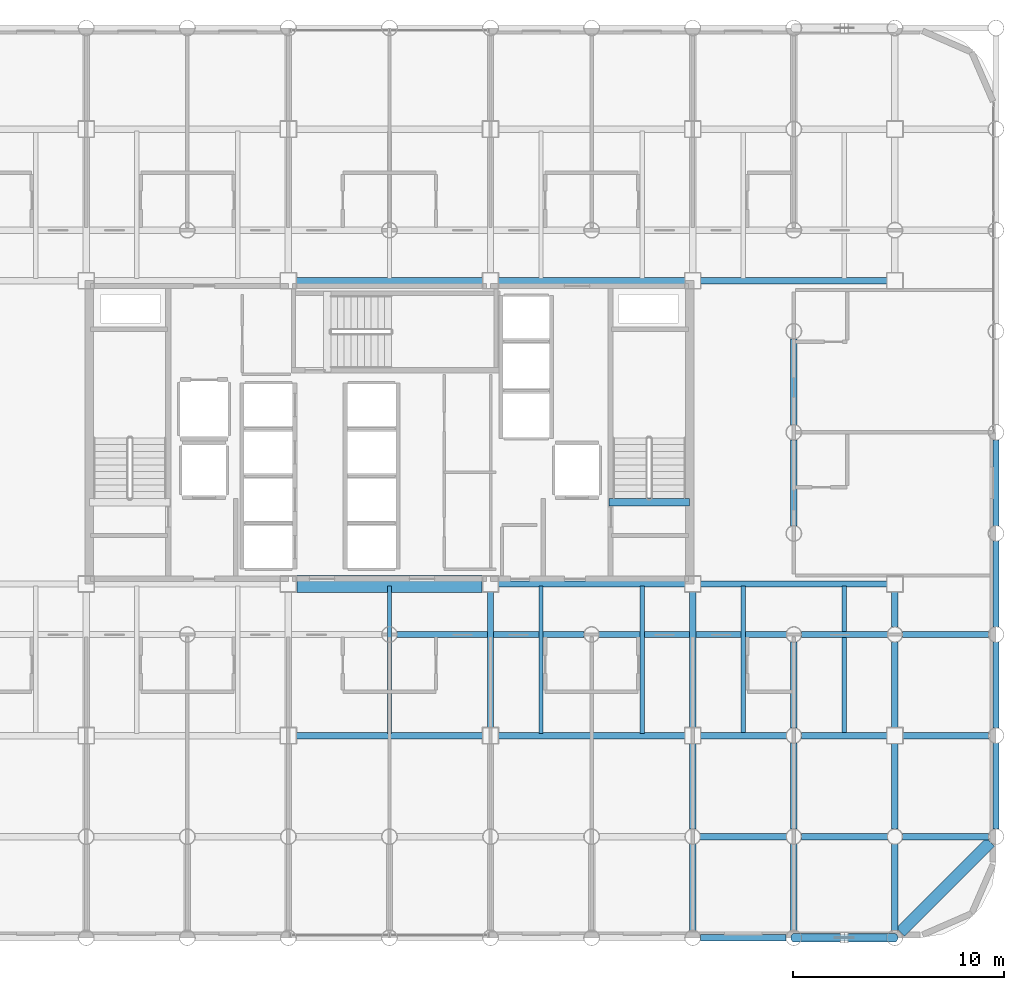
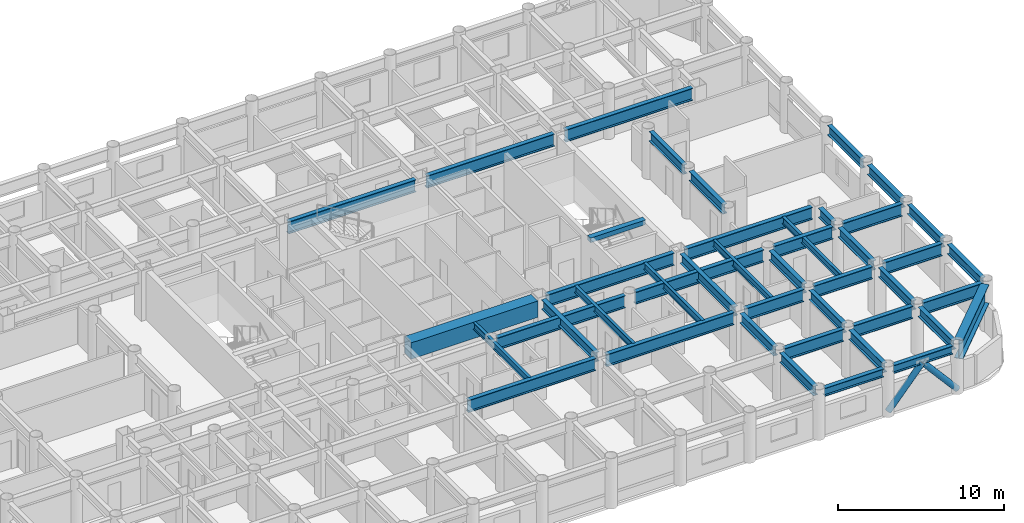
# One storey, part 7 of 22: 44 beams, 2 members.
"""IFC4 building model written with IfcOpenShell, lengths in metres."""

from ifc_helpers import new_model, si_unit, direction, frame, origin, origin_2d, place, context, subcontext, project, spatial, rectangle, hollow_circle, i_section, extrude, material, material_profile, profile_set, type_object, element, save


model = new_model("IFC4")

# Units and contexts
model_context = context("Model", 3, precision=1e-05, world=origin(), true_north=direction((0.0, 1.0)))
body_context = subcontext(model_context, "Body", "Model", "MODEL_VIEW")
ifc_project = project(units=[si_unit("LENGTHUNIT", "METRE"), si_unit("AREAUNIT", "SQUARE_METRE"), si_unit("VOLUMEUNIT", "CUBIC_METRE"), si_unit("PLANEANGLEUNIT", "RADIAN"), si_unit("MASSUNIT", "GRAM", prefix="KILO")], contexts=[model_context])

# Site, building, storey
site_placement = place(None, origin())
site = spatial("IfcSite", under=ifc_project, at=site_placement, CompositionType="ELEMENT")
building_placement = place(site_placement, origin())
building = spatial("IfcBuilding", under=site, at=building_placement, Name="Kallvorn Hotel Tower", CompositionType="ELEMENT")
storey_placement = place(building_placement, frame((0.0, 0.0, 33.699951171875)))
storey = spatial("IfcBuildingStorey", under=building, at=storey_placement, Name="L06", CompositionType="ELEMENT", Elevation=33.699951171875)

# Beams
ifc_material_1 = material(Name="Structural steel S355JR", Category="steel")
ifc_material_profile_1 = material_profile(ifc_material_1, i_section(OverallWidth=0.300048828125, OverallDepth=0.60009765625, WebThickness=0.015380859375, FlangeThickness=0.030029296875, at=origin_2d()), Name="HE 600 B")
ifc_profile_set_1 = profile_set([ifc_material_profile_1], Name="Structural steel S355JR")
beam_type_1 = type_object("IfcBeamType", Name="BM_HE600B", PredefinedType="SPANDREL", material=ifc_profile_set_1)
beam_1_placement = place(storey_placement, frame((14.77099609375, -24.0, 3.219970703125), z_axis=(1.0, 0.0, 0.0), x_axis=(0.0, 1.0, 0.0)))
element("IfcBeam", 1, at=beam_1_placement, inside=storey, type_object=beam_type_1, Name="L07 Perimeter Spandrel 160", PredefinedType="SPANDREL", context=body_context, shape_type="SweptSolid", body=[
    extrude(i_section(OverallWidth=0.300048828125, OverallDepth=0.60009765625, WebThickness=0.015380859375, FlangeThickness=0.030029296875, at=origin_2d()), origin(), (0.0, 0.0, 1.0), 4.05810546875),
])
beam_2_placement = place(storey_placement, frame((19.571044921875, -24.0, 3.219970703125), z_axis=(1.0, 0.0, 0.0), x_axis=(0.0, 1.0, 0.0)))
element("IfcBeam", 2, at=beam_2_placement, inside=storey, type_object=beam_type_1, Name="L07 Perimeter Spandrel 161", PredefinedType="SPANDREL", context=body_context, shape_type="SweptSolid", body=[
    extrude(i_section(OverallWidth=0.300048828125, OverallDepth=0.60009765625, WebThickness=0.015380859375, FlangeThickness=0.030029296875, at=origin_2d()), origin(), (0.0, 0.0, 1.0), 4.057861328125),
])
ifc_material_2 = material(Name="Structural steel S355JR", Category="steel")
ifc_material_profile_2 = material_profile(ifc_material_2, i_section(OverallWidth=0.300048828125, OverallDepth=0.699951171875, WebThickness=0.01708984375, FlangeThickness=0.031982421875, at=origin_2d()), Name="HE 700 B")
ifc_profile_set_2 = profile_set([ifc_material_profile_2], Name="Structural steel S355JR")
beam_type_2 = type_object("IfcBeamType", Name="BM_HE700B", PredefinedType="BEAM", material=ifc_profile_set_2)
beam_3_placement = place(storey_placement, frame((4.800048828125, -14.02490234375, 3.170166015625), z_axis=(0.0, 1.0, 0.0), x_axis=(-1.0, 0.0, 0.0)))
element("IfcBeam", 3, at=beam_3_placement, inside=storey, type_object=beam_type_2, Name="L07 Primary Y-Girder 116", PredefinedType="BEAM", context=body_context, shape_type="SweptSolid", body=[
    extrude(i_section(OverallWidth=0.300048828125, OverallDepth=0.699951171875, WebThickness=0.01708984375, FlangeThickness=0.031982421875, at=origin_2d()), origin(), (0.0, 0.0, 1.0), 6.449951171875),
])
beam_4_placement = place(storey_placement, frame((14.39990234375, -23.64404296875, 3.170166015625), z_axis=(0.0, 1.0, 0.0), x_axis=(-1.0, 0.0, 0.0)))
element("IfcBeam", 4, at=beam_4_placement, inside=storey, type_object=beam_type_2, Name="L07 Primary Y-Girder 122", PredefinedType="BEAM", context=body_context, shape_type="SweptSolid", body=[
    extrude(i_section(OverallWidth=0.300048828125, OverallDepth=0.699951171875, WebThickness=0.01708984375, FlangeThickness=0.031982421875, at=origin_2d()), origin(), (0.0, 0.0, 1.0), 4.088134765625),
])
beam_5_placement = place(storey_placement, frame((14.39990234375, -18.843994140625, 3.170166015625), z_axis=(0.0, 1.0, 0.0), x_axis=(-1.0, 0.0, 0.0)))
element("IfcBeam", 5, at=beam_5_placement, inside=storey, type_object=beam_type_2, Name="L07 Primary Y-Girder 123", PredefinedType="BEAM", context=body_context, shape_type="SweptSolid", body=[
    extrude(i_section(OverallWidth=0.300048828125, OverallDepth=0.699951171875, WebThickness=0.01708984375, FlangeThickness=0.031982421875, at=origin_2d()), origin(), (0.0, 0.0, 1.0), 4.069091796875),
])
beam_6_placement = place(storey_placement, frame((14.39990234375, -14.02490234375, 3.170166015625), z_axis=(0.0, 1.0, 0.0), x_axis=(-1.0, 0.0, 0.0)))
element("IfcBeam", 6, at=beam_6_placement, inside=storey, type_object=beam_type_2, Name="L07 Primary Y-Girder 124", PredefinedType="BEAM", context=body_context, shape_type="SweptSolid", body=[
    extrude(i_section(OverallWidth=0.300048828125, OverallDepth=0.699951171875, WebThickness=0.01708984375, FlangeThickness=0.031982421875, at=origin_2d()), origin(), (0.0, 0.0, 1.0), 6.449951171875),
])
beam_7_placement = place(storey_placement, frame((19.199951171875, -23.64404296875, 3.170166015625), z_axis=(0.0, 1.0, 0.0), x_axis=(-1.0, 0.0, 0.0)))
element("IfcBeam", 7, at=beam_7_placement, inside=storey, type_object=beam_type_2, Name="L07 Primary Y-Girder 127", PredefinedType="BEAM", context=body_context, shape_type="SweptSolid", body=[
    extrude(i_section(OverallWidth=0.300048828125, OverallDepth=0.699951171875, WebThickness=0.01708984375, FlangeThickness=0.031982421875, at=origin_2d()), origin(), (0.0, 0.0, 1.0), 4.088134765625),
])
for number, where, z_axis, x_axis, name in (
    (8, (19.199951171875, -18.843994140625, 3.170166015625), (0.0, 1.0, 0.0), (-1.0, 0.0, 0.0), "L07 Primary Y-Girder 128"),
    (9, (19.199951171875, -14.0439453125, 3.170166015625), (0.0, 1.0, 0.0), (-1.0, 0.0, 0.0), "L07 Primary Y-Girder 129"),
):
    element("IfcBeam", number, at=place(storey_placement, frame(where, z_axis=z_axis, x_axis=x_axis)), inside=storey, type_object=beam_type_2, Name=name, PredefinedType="BEAM", context=body_context, shape_type="SweptSolid", body=[
        extrude(i_section(OverallWidth=0.300048828125, OverallDepth=0.699951171875, WebThickness=0.01708984375, FlangeThickness=0.031982421875, at=origin_2d()), origin(), (0.0, 0.0, 1.0), 4.087890625),
    ])
for number, where, z_axis, x_axis, name in (
    (10, (19.199951171875, -4.444091796875, 3.170166015625), (0.0, 1.0, 0.0), (-1.0, 0.0, 0.0), "L07 Primary Y-Girder 131"),
    (11, (19.199951171875, 0.35595703125, 3.170166015625), (0.0, 1.0, 0.0), (-1.0, 0.0, 0.0), "L07 Primary Y-Girder 132"),
    (12, (24.0, -23.64404296875, 3.170166015625), (0.0, 1.0, 0.0), (-1.0, 0.0, 0.0), "L07 Primary Y-Girder 136"),
):
    element("IfcBeam", number, at=place(storey_placement, frame(where, z_axis=z_axis, x_axis=x_axis)), inside=storey, type_object=beam_type_2, Name=name, PredefinedType="BEAM", context=body_context, shape_type="SweptSolid", body=[
        extrude(i_section(OverallWidth=0.300048828125, OverallDepth=0.699951171875, WebThickness=0.01708984375, FlangeThickness=0.031982421875, at=origin_2d()), origin(), (0.0, 0.0, 1.0), 4.088134765625),
    ])
beam_8_placement = place(storey_placement, frame((24.0, -18.843994140625, 3.170166015625), z_axis=(0.0, 1.0, 0.0), x_axis=(-1.0, 0.0, 0.0)))
element("IfcBeam", 13, at=beam_8_placement, inside=storey, type_object=beam_type_2, Name="L07 Primary Y-Girder 137", PredefinedType="BEAM", context=body_context, shape_type="SweptSolid", body=[
    extrude(i_section(OverallWidth=0.300048828125, OverallDepth=0.699951171875, WebThickness=0.01708984375, FlangeThickness=0.031982421875, at=origin_2d()), origin(), (0.0, 0.0, 1.0), 4.069091796875),
])
beam_9_placement = place(storey_placement, frame((24.0, -14.02490234375, 3.170166015625), z_axis=(0.0, 1.0, 0.0), x_axis=(-1.0, 0.0, 0.0)))
element("IfcBeam", 14, at=beam_9_placement, inside=storey, type_object=beam_type_2, Name="L07 Primary Y-Girder 138", PredefinedType="BEAM", context=body_context, shape_type="SweptSolid", body=[
    extrude(i_section(OverallWidth=0.300048828125, OverallDepth=0.699951171875, WebThickness=0.01708984375, FlangeThickness=0.031982421875, at=origin_2d()), origin(), (0.0, 0.0, 1.0), 4.06884765625),
])
beam_10_placement = place(storey_placement, frame((24.0, -9.243896484375, 3.170166015625), z_axis=(0.0, 1.0, 0.0), x_axis=(-1.0, 0.0, 0.0)))
element("IfcBeam", 15, at=beam_10_placement, inside=storey, type_object=beam_type_2, Name="L07 Primary Y-Girder 139", PredefinedType="BEAM", context=body_context, shape_type="SweptSolid", body=[
    extrude(i_section(OverallWidth=0.300048828125, OverallDepth=0.699951171875, WebThickness=0.01708984375, FlangeThickness=0.031982421875, at=origin_2d()), origin(), (0.0, 0.0, 1.0), 1.6689453125),
])
for number, where, z_axis, x_axis, name in (
    (16, (28.800048828125, -18.843994140625, 3.170166015625), (0.0, 1.0, 0.0), (-1.0, 0.0, 0.0), "L07 Primary Y-Girder 143"),
    (17, (28.800048828125, -14.0439453125, 3.170166015625), (0.0, 1.0, 0.0), (-1.0, 0.0, 0.0), "L07 Primary Y-Girder 144"),
    (18, (28.800048828125, -9.243896484375, 3.170166015625), (0.0, 1.0, 0.0), (-1.0, 0.0, 0.0), "L07 Primary Y-Girder 145"),
):
    element("IfcBeam", number, at=place(storey_placement, frame(where, z_axis=z_axis, x_axis=x_axis)), inside=storey, type_object=beam_type_2, Name=name, PredefinedType="BEAM", context=body_context, shape_type="SweptSolid", body=[
        extrude(i_section(OverallWidth=0.300048828125, OverallDepth=0.699951171875, WebThickness=0.01708984375, FlangeThickness=0.031982421875, at=origin_2d()), origin(), (0.0, 0.0, 1.0), 4.087890625),
    ])
beam_11_placement = place(storey_placement, frame((28.800048828125, -4.444091796875, 3.170166015625), z_axis=(0.0, 1.0, 0.0), x_axis=(-1.0, 0.0, 0.0)))
element("IfcBeam", 19, at=beam_11_placement, inside=storey, type_object=beam_type_2, Name="L07 Primary Y-Girder 146", PredefinedType="BEAM", context=body_context, shape_type="SweptSolid", body=[
    extrude(i_section(OverallWidth=0.300048828125, OverallDepth=0.699951171875, WebThickness=0.01708984375, FlangeThickness=0.031982421875, at=origin_2d()), origin(), (0.0, 0.0, 1.0), 4.088134765625),
])
ifc_material_3 = material(Name="Structural steel S355JR", Category="steel")
ifc_material_profile_3 = material_profile(ifc_material_3, i_section(OverallWidth=0.300048828125, OverallDepth=0.89990234375, WebThickness=0.0185546875, FlangeThickness=0.034912109375, at=origin_2d()), Name="HE 900 B")
ifc_profile_set_3 = profile_set([ifc_material_profile_3], Name="Structural steel S355JR")
beam_type_3 = type_object("IfcBeamType", Name="BM_HE900B", PredefinedType="BEAM", material=ifc_profile_set_3)
beam_12_placement = place(storey_placement, frame((14.756103515625, -19.199951171875, 3.070068359375), z_axis=(1.0, 0.0, 0.0), x_axis=(0.0, 1.0, 0.0)))
element("IfcBeam", 20, at=beam_12_placement, inside=storey, type_object=beam_type_3, Name="L07 Primary X-Girder 11", PredefinedType="BEAM", context=body_context, shape_type="SweptSolid", body=[
    extrude(i_section(OverallWidth=0.300048828125, OverallDepth=0.89990234375, WebThickness=0.0185546875, FlangeThickness=0.034912109375, at=origin_2d()), origin(), (0.0, 0.0, 1.0), 4.087890625),
])
for number, where, z_axis, x_axis, name in (
    (21, (19.555908203125, -19.199951171875, 3.070068359375), (1.0, 0.0, 0.0), (0.0, 1.0, 0.0), "L07 Primary X-Girder 12"),
    (22, (24.35595703125, -19.199951171875, 3.070068359375), (1.0, 0.0, 0.0), (0.0, 1.0, 0.0), "L07 Primary X-Girder 13"),
):
    element("IfcBeam", number, at=place(storey_placement, frame(where, z_axis=z_axis, x_axis=x_axis)), inside=storey, type_object=beam_type_3, Name=name, PredefinedType="BEAM", context=body_context, shape_type="SweptSolid", body=[
        extrude(i_section(OverallWidth=0.300048828125, OverallDepth=0.89990234375, WebThickness=0.0185546875, FlangeThickness=0.034912109375, at=origin_2d()), origin(), (0.0, 0.0, 1.0), 4.088134765625),
    ])
beam_13_placement = place(storey_placement, frame((-4.425048828125, -14.39990234375, 3.070068359375), z_axis=(1.0, 0.0, 0.0), x_axis=(0.0, 1.0, 0.0)))
element("IfcBeam", 23, at=beam_13_placement, inside=storey, type_object=beam_type_3, Name="L07 Primary X-Girder 19", PredefinedType="BEAM", context=body_context, shape_type="SweptSolid", body=[
    extrude(i_section(OverallWidth=0.300048828125, OverallDepth=0.89990234375, WebThickness=0.0185546875, FlangeThickness=0.034912109375, at=origin_2d()), origin(), (0.0, 0.0, 1.0), 8.85009765625),
])
beam_14_placement = place(storey_placement, frame((5.175048828125, -14.39990234375, 3.070068359375), z_axis=(1.0, 0.0, 0.0), x_axis=(0.0, 1.0, 0.0)))
element("IfcBeam", 24, at=beam_14_placement, inside=storey, type_object=beam_type_3, Name="L07 Primary X-Girder 20", PredefinedType="BEAM", context=body_context, shape_type="SweptSolid", body=[
    extrude(i_section(OverallWidth=0.300048828125, OverallDepth=0.89990234375, WebThickness=0.0185546875, FlangeThickness=0.034912109375, at=origin_2d()), origin(), (0.0, 0.0, 1.0), 8.849853515625),
])
for number, where, z_axis, x_axis, name in (
    (25, (14.77490234375, -14.39990234375, 3.070068359375), (1.0, 0.0, 0.0), (0.0, 1.0, 0.0), "L07 Primary X-Girder 21"),
    (26, (19.555908203125, -14.39990234375, 3.070068359375), (1.0, 0.0, 0.0), (0.0, 1.0, 0.0), "L07 Primary X-Girder 22"),
    (27, (24.375, -14.39990234375, 3.070068359375), (1.0, 0.0, 0.0), (0.0, 1.0, 0.0), "L07 Primary X-Girder 23"),
):
    element("IfcBeam", number, at=place(storey_placement, frame(where, z_axis=z_axis, x_axis=x_axis)), inside=storey, type_object=beam_type_3, Name=name, PredefinedType="BEAM", context=body_context, shape_type="SweptSolid", body=[
        extrude(i_section(OverallWidth=0.300048828125, OverallDepth=0.89990234375, WebThickness=0.0185546875, FlangeThickness=0.034912109375, at=origin_2d()), origin(), (0.0, 0.0, 1.0), 4.069091796875),
    ])
for number, where, z_axis, x_axis, name in (
    (28, (0.35595703125, -9.60009765625, 3.070068359375), (1.0, 0.0, 0.0), (0.0, 1.0, 0.0), "L07 Primary X-Girder 29"),
    (29, (9.9560546875, -9.60009765625, 3.070068359375), (1.0, 0.0, 0.0), (0.0, 1.0, 0.0), "L07 Primary X-Girder 30"),
):
    element("IfcBeam", number, at=place(storey_placement, frame(where, z_axis=z_axis, x_axis=x_axis)), inside=storey, type_object=beam_type_3, Name=name, PredefinedType="BEAM", context=body_context, shape_type="SweptSolid", body=[
        extrude(i_section(OverallWidth=0.300048828125, OverallDepth=0.89990234375, WebThickness=0.0185546875, FlangeThickness=0.034912109375, at=origin_2d()), origin(), (0.0, 0.0, 1.0), 8.887939453125),
    ])
for number, where, z_axis, x_axis, name in (
    (30, (19.555908203125, -9.60009765625, 3.070068359375), (1.0, 0.0, 0.0), (0.0, 1.0, 0.0), "L07 Primary X-Girder 31"),
    (31, (24.35595703125, -9.60009765625, 3.070068359375), (1.0, 0.0, 0.0), (0.0, 1.0, 0.0), "L07 Primary X-Girder 32"),
):
    element("IfcBeam", number, at=place(storey_placement, frame(where, z_axis=z_axis, x_axis=x_axis)), inside=storey, type_object=beam_type_3, Name=name, PredefinedType="BEAM", context=body_context, shape_type="SweptSolid", body=[
        extrude(i_section(OverallWidth=0.300048828125, OverallDepth=0.89990234375, WebThickness=0.0185546875, FlangeThickness=0.034912109375, at=origin_2d()), origin(), (0.0, 0.0, 1.0), 4.088134765625),
    ])
beam_15_placement = place(storey_placement, frame((5.175048828125, -7.199951171875, 3.070068359375), z_axis=(1.0, 0.0, 0.0), x_axis=(0.0, 1.0, 0.0)))
element("IfcBeam", 32, at=beam_15_placement, inside=storey, type_object=beam_type_3, Name="L07 Primary X-Girder 35", PredefinedType="BEAM", context=body_context, shape_type="SweptSolid", body=[
    extrude(i_section(OverallWidth=0.300048828125, OverallDepth=0.89990234375, WebThickness=0.0185546875, FlangeThickness=0.034912109375, at=origin_2d()), origin(), (0.0, 0.0, 1.0), 8.849853515625),
])
for number, where, z_axis, x_axis, name in (
    (33, (14.77490234375, -7.199951171875, 3.070068359375), (1.0, 0.0, 0.0), (0.0, 1.0, 0.0), "L07 Primary X-Girder 36"),
    (34, (-4.425048828125, 7.199951171875, 3.070068359375), (1.0, 0.0, 0.0), (0.0, 1.0, 0.0), "L07 Primary X-Girder 39"),
):
    element("IfcBeam", number, at=place(storey_placement, frame(where, z_axis=z_axis, x_axis=x_axis)), inside=storey, type_object=beam_type_3, Name=name, PredefinedType="BEAM", context=body_context, shape_type="SweptSolid", body=[
        extrude(i_section(OverallWidth=0.300048828125, OverallDepth=0.89990234375, WebThickness=0.0185546875, FlangeThickness=0.034912109375, at=origin_2d()), origin(), (0.0, 0.0, 1.0), 8.85009765625),
    ])
beam_16_placement = place(storey_placement, frame((5.175048828125, 7.199951171875, 3.070068359375), z_axis=(1.0, 0.0, 0.0), x_axis=(0.0, 1.0, 0.0)))
element("IfcBeam", 35, at=beam_16_placement, inside=storey, type_object=beam_type_3, Name="L07 Primary X-Girder 40", PredefinedType="BEAM", context=body_context, shape_type="SweptSolid", body=[
    extrude(i_section(OverallWidth=0.300048828125, OverallDepth=0.89990234375, WebThickness=0.0185546875, FlangeThickness=0.034912109375, at=origin_2d()), origin(), (0.0, 0.0, 1.0), 8.849853515625),
])
beam_17_placement = place(storey_placement, frame((14.77490234375, 7.199951171875, 3.070068359375), z_axis=(1.0, 0.0, 0.0), x_axis=(0.0, 1.0, 0.0)))
element("IfcBeam", 36, at=beam_17_placement, inside=storey, type_object=beam_type_3, Name="L07 Primary X-Girder 41", PredefinedType="BEAM", context=body_context, shape_type="SweptSolid", body=[
    extrude(i_section(OverallWidth=0.300048828125, OverallDepth=0.89990234375, WebThickness=0.0185546875, FlangeThickness=0.034912109375, at=origin_2d()), origin(), (0.0, 0.0, 1.0), 8.85009765625),
])
ifc_material_4 = material(Name="Structural steel S355JR", Category="steel")
ifc_material_profile_4 = material_profile(ifc_material_4, i_section(OverallWidth=0.199951171875, OverallDepth=0.5, WebThickness=0.01025390625, FlangeThickness=0.01611328125, at=origin_2d()), Name="IPE 500")
ifc_profile_set_4 = profile_set([ifc_material_profile_4], Name="Structural steel S355JR")
beam_type_4 = type_object("IfcBeamType", Name="BM_IPE500", PredefinedType="JOIST", material=ifc_profile_set_4)
for number, where, z_axis, x_axis, name in (
    (37, (0.0, -14.300048828125, 3.27001953125), (0.0, 1.0, 0.0), (-1.0, 0.0, 0.0), "L07 Secondary Composite Joist 200"),
    (38, (7.199951171875, -14.300048828125, 3.27001953125), (0.0, 1.0, 0.0), (-1.0, 0.0, 0.0), "L07 Secondary Composite Joist 202"),
    (39, (12.0, -14.300048828125, 3.27001953125), (0.0, 1.0, 0.0), (-1.0, 0.0, 0.0), "L07 Secondary Composite Joist 204"),
    (40, (16.800048828125, -14.300048828125, 3.27001953125), (0.0, 1.0, 0.0), (-1.0, 0.0, 0.0), "L07 Secondary Composite Joist 206"),
    (41, (21.60009765625, -14.300048828125, 3.27001953125), (0.0, 1.0, 0.0), (-1.0, 0.0, 0.0), "L07 Secondary Composite Joist 208"),
):
    element("IfcBeam", number, at=place(storey_placement, frame(where, z_axis=z_axis, x_axis=x_axis)), inside=storey, type_object=beam_type_4, Name=name, PredefinedType="JOIST", context=body_context, shape_type="SweptSolid", body=[
        extrude(i_section(OverallWidth=0.199951171875, OverallDepth=0.5, WebThickness=0.01025390625, FlangeThickness=0.01611328125, at=origin_2d()), origin(), (0.0, 0.0, 1.0), 7.0),
    ])
ifc_material_5 = material(Name="Structural steel S355JR", Category="steel")
ifc_material_profile_5 = material_profile(ifc_material_5, i_section(OverallWidth=0.550048828125, OverallDepth=1.39990234375, WebThickness=0.02490234375, FlangeThickness=0.044921875, at=origin_2d()), Name="PG 1400x550x25x45")
ifc_profile_set_5 = profile_set([ifc_material_profile_5], Name="Structural steel S355JR")
beam_type_5 = type_object("IfcBeamType", Name="BM_PG_1400", PredefinedType="BEAM", material=ifc_profile_set_5)
beam_18_placement = place(storey_placement, frame((28.53759765625, -19.46240234375, 2.820068359375), z_axis=(-0.707106781187, -0.707106781187, 0.0), x_axis=(0.707106781187, -0.707106781187, 0.0)))
element("IfcBeam", 42, at=beam_18_placement, inside=storey, type_object=beam_type_5, Name="L07 Rounded Corner Tie Beam 191", PredefinedType="BEAM", context=body_context, shape_type="SweptSolid", body=[
    extrude(i_section(OverallWidth=0.550048828125, OverallDepth=1.39990234375, WebThickness=0.02490234375, FlangeThickness=0.044921875, at=origin_2d()), origin(), (0.0, 0.0, 1.0), 6.04638671875),
])
ifc_material_6 = material(Name="Concrete C50/60", Category="concrete")
ifc_material_profile_6 = material_profile(ifc_material_6, rectangle(XDim=0.360107421875, YDim=0.340087890625, at=origin_2d()), Name="RC 360x340")
ifc_profile_set_6 = profile_set([ifc_material_profile_6], Name="Concrete C50/60")
beam_type_6 = type_object("IfcBeamType", Name="BM_RC_400x360", PredefinedType="BEAM", material=ifc_profile_set_6)
beam_19_placement = place(storey_placement, frame((14.239990234375, -3.31005859375, 3.35009765625), z_axis=(-1.0, 0.0, 0.0), x_axis=(0.0, -1.0, 0.0)))
element("IfcBeam", 43, at=beam_19_placement, inside=storey, type_object=beam_type_6, Name="L07 Stair ST2 Arrival Trimmer Beam", PredefinedType="BEAM", context=body_context, shape_type="SweptSolid", body=[
    extrude(rectangle(XDim=0.360107421875, YDim=0.340087890625, at=origin_2d()), origin(), (0.0, 0.0, 1.0), 3.820068359375),
])
ifc_material_7 = material(Name="Concrete C50/60", Category="concrete")
ifc_material_profile_7 = material_profile(ifc_material_7, rectangle(XDim=0.800048828125, YDim=1.199951171875, at=origin_2d()), Name="RC 800x1200")
ifc_profile_set_7 = profile_set([ifc_material_profile_7], Name="Concrete C50/60")
beam_type_7 = type_object("IfcBeamType", Name="BM_RC_800x1200", PredefinedType="T_BEAM", material=ifc_profile_set_7)
beam_20_placement = place(storey_placement, frame((-4.39990234375, -7.199951171875, 2.920166015625), z_axis=(1.0, 0.0, 0.0), x_axis=(0.0, 1.0, 0.0)))
element("IfcBeam", 44, at=beam_20_placement, inside=storey, type_object=beam_type_7, Name="L06 Core Coupling Beam South", PredefinedType="T_BEAM", context=body_context, shape_type="SweptSolid", body=[
    extrude(rectangle(XDim=0.800048828125, YDim=1.199951171875, at=origin_2d()), origin(), (0.0, 0.0, 1.0), 8.7998046875),
])

# Members
ifc_material_8 = material(Name="Structural steel S355J2H", Category="steel")
ifc_material_profile_8 = material_profile(ifc_material_8, hollow_circle(Radius=0.203125, WallThickness=0.01611328125, at=origin_2d()), Name="CHS 406.4x16")
ifc_profile_set_8 = profile_set([ifc_material_profile_8], Name="Structural steel S355J2H")
member_type = type_object("IfcMemberType", Name="MBR_EXO_CHS406", PredefinedType="BRACE", material=ifc_profile_set_8)
for number, where, z_axis, x_axis, name in (
    (45, (19.213134765625, -24.0, 0.195068359375), (0.653427382465, 0.0, 0.756989204576), (0.0, 1.0, 0.0), "L06 Exoskeleton K-Brace S2A"),
    (46, (23.98681640625, -24.0, 0.195068359375), (-0.653427382465, 0.0, 0.756989204576), (0.0, -1.0, 0.0), "L06 Exoskeleton K-Brace S2B"),
):
    element("IfcMember", number, at=place(storey_placement, frame(where, z_axis=z_axis, x_axis=x_axis)), inside=storey, type_object=member_type, Name=name, PredefinedType="BRACE", context=body_context, shape_type="SweptSolid", body=[
        extrude(hollow_circle(Radius=0.203125, WallThickness=0.01611328125, at=origin_2d()), origin(), (0.0, 0.0, 1.0), 3.6328125),
    ])

save(model, "model.ifc")
